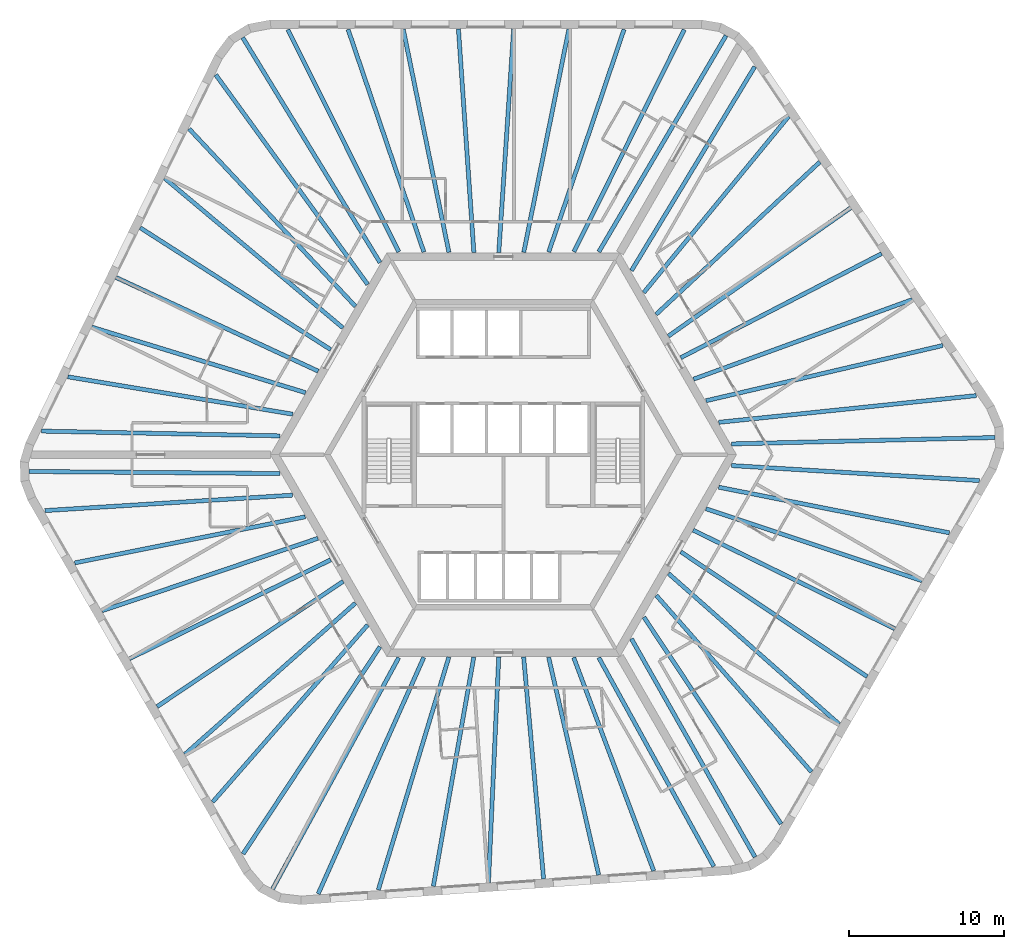
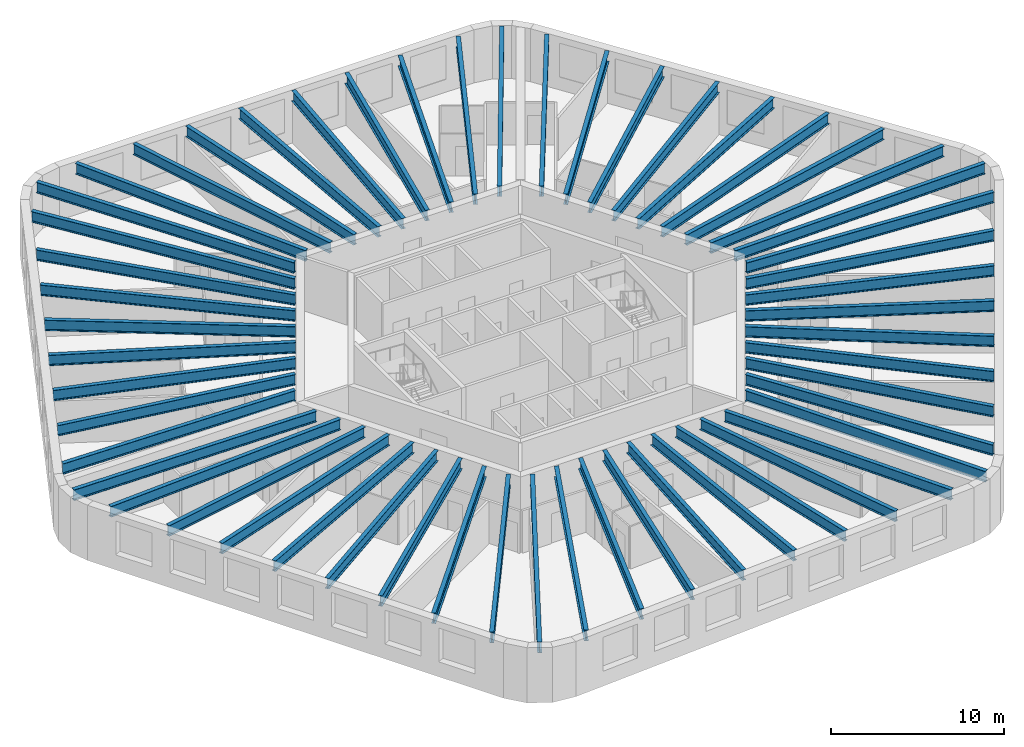
# One storey, part 1 of 10: 54 beams.
"""IFC4 building model written with IfcOpenShell, lengths in metres."""

import ifcopenshell
import ifcopenshell.guid

model = None  # the IFC model being written
_history = None  # IfcOwnerHistory: only IFC2X3 demands one
_inside = {}  # id of a spatial element -> (the spatial element, [elements in it])
_under = {}  # id of a project, library or spatial element -> (it, [spatial elements below it])
_declared = {}  # id of a project -> (the project, [libraries it declares])
_typed = {}  # id of a type object -> (the type object, [elements of that type])
_made_of = {}  # id of a material, layer set ... -> (it, [elements and type objects made of it])


def new_model(schema):
    """Start an empty IFC model of exactly this schema.

    Asked for "IFC4X3", IfcOpenShell would pick the latest addendum, in which some entities
    have other attributes; the version numbers below select the first issue.
    IFC2X3 requires an IfcOwnerHistory on every rooted entity: one is made here for all.
    """
    global model, _history
    if schema == "IFC4X3":
        model = ifcopenshell.file(schema_version=(4, 3, 0, 0))
    else:
        model = ifcopenshell.file(schema=schema)
    _inside.clear()
    _under.clear()
    _declared.clear()
    _typed.clear()
    _made_of.clear()
    _history = None
    if model.schema == "IFC2X3":
        org = make("IfcOrganization", Name="unknown")
        user = make(
            "IfcPersonAndOrganization",
            ThePerson=make("IfcPerson", FamilyName="unknown"),
            TheOrganization=org,
        )
        app = make(
            "IfcApplication",
            ApplicationDeveloper=org,
            Version="unknown",
            ApplicationFullName="unknown",
            ApplicationIdentifier="unknown",
        )
        _history = make(
            "IfcOwnerHistory",
            OwningUser=user,
            OwningApplication=app,
            ChangeAction="ADDED",
            CreationDate=0,
        )
    return model


def make(cls, **values):
    """One entity of the class cls with the attributes given. An attribute that is None is left unset."""
    return model.create_entity(
        cls, **{name: value for name, value in values.items() if value is not None}
    )


def rooted(cls, **values):
    """An entity with a GlobalId (a new one), such as an element, a storey or a relation."""
    return make(cls, GlobalId=ifcopenshell.guid.new(), OwnerHistory=_history, **values)


def si_unit(unit_type, name, prefix=None):
    """IfcSIUnit, for example si_unit("LENGTHUNIT", "METRE", prefix="MILLI")."""
    return make("IfcSIUnit", UnitType=unit_type, Prefix=prefix, Name=name)


def assignment(units):
    """IfcUnitAssignment: the units of a project."""
    return None if units is None else make("IfcUnitAssignment", Units=units)


def point(xyz):
    """IfcCartesianPoint."""
    return None if xyz is None else make("IfcCartesianPoint", Coordinates=xyz)


def direction(xyz):
    """IfcDirection."""
    return None if xyz is None else make("IfcDirection", DirectionRatios=xyz)


def frame(location, z_axis=None, x_axis=None):
    """IfcAxis2Placement3D, a coordinate frame: its origin and axes. An axis left out is left unset."""
    return make(
        "IfcAxis2Placement3D",
        Location=point(location),
        Axis=direction(z_axis),
        RefDirection=direction(x_axis),
    )


def frame_2d(location, x_axis=None):
    """IfcAxis2Placement2D, a coordinate frame in the plane: its origin and x axis."""
    return make(
        "IfcAxis2Placement2D", Location=point(location), RefDirection=direction(x_axis)
    )


def origin():
    """The frame at (0, 0, 0) with its axes left unset."""
    return frame((0.0, 0.0, 0.0))


def origin_2d():
    """The frame at (0, 0) in the plane with its x axis left unset."""
    return frame_2d((0.0, 0.0))


def place(relative_to, where):
    """IfcLocalPlacement: puts the frame where relative to a parent placement (None: the world)."""
    return make(
        "IfcLocalPlacement", PlacementRelTo=relative_to, RelativePlacement=where
    )


def context(
    kind, dimensions, precision=None, world=None, true_north=None, identifier=None
):
    """IfcGeometricRepresentationContext, for example the 3D "Model" context."""
    return make(
        "IfcGeometricRepresentationContext",
        ContextIdentifier=identifier,
        ContextType=kind,
        CoordinateSpaceDimension=dimensions,
        Precision=precision,
        WorldCoordinateSystem=world,
        TrueNorth=true_north,
    )


def subcontext(parent, identifier, kind, view, scale=None):
    """IfcGeometricRepresentationSubContext, for example "Body" below "Model"."""
    return make(
        "IfcGeometricRepresentationSubContext",
        ContextIdentifier=identifier,
        ContextType=kind,
        ParentContext=parent,
        TargetScale=scale,
        TargetView=view,
    )


def project(units=None, contexts=None):
    """IfcProject with its units and contexts."""
    return rooted(
        "IfcProject",
        Name="project",
        RepresentationContexts=contexts,
        UnitsInContext=assignment(units),
    )


def spatial(cls, under=None, at=None, **own):
    """A site, building, storey or space (cls), placed at a placement, below another one or the project."""
    s = rooted(cls, ObjectPlacement=at, **own)
    if under is not None:
        _under.setdefault(under.id(), (under, []))[1].append(s)
    return s


def profile(cls, at=None, kind="AREA", **sizes):
    """A parametric profile (cls). Its sizes go by their IFC names, for example OverallWidth=200.0."""
    return make(cls, ProfileType=kind, Position=at, **sizes)


def i_section(**sizes):
    """IfcIShapeProfileDef."""
    return profile("IfcIShapeProfileDef", **sizes)


def extrude(swept, where, along, depth):
    """IfcExtrudedAreaSolid: the profile swept, set in the frame where, extruded along a direction by depth."""
    return make(
        "IfcExtrudedAreaSolid",
        SweptArea=swept,
        Position=where,
        ExtrudedDirection=direction(along),
        Depth=depth,
    )


def shape(context_of_items, identifier, shape_type, items):
    """IfcShapeRepresentation: the items that make up one representation, for example the "Body"."""
    return make(
        "IfcShapeRepresentation",
        ContextOfItems=context_of_items,
        RepresentationIdentifier=identifier,
        RepresentationType=shape_type,
        Items=items,
    )


def material(Name=None, Category=None):
    """IfcMaterial."""
    return make("IfcMaterial", Name=Name, Category=Category)


def material_profile(
    of_material, cross_section, Name=None, Category=None, Priority=None
):
    """IfcMaterialProfile: a cross section and its material."""
    return make(
        "IfcMaterialProfile",
        Name=Name,
        Material=of_material,
        Profile=cross_section,
        Priority=Priority,
        Category=Category,
    )


def profile_set(profiles, Name=None, composite=None):
    """IfcMaterialProfileSet."""
    return make(
        "IfcMaterialProfileSet",
        Name=Name,
        MaterialProfiles=profiles,
        CompositeProfile=composite,
    )


def made_of(thing, what):
    """Note that an element or type object is made of a material, layer set ...; save() writes the relation."""
    if what is not None:
        _made_of.setdefault(what.id(), (what, []))[1].append(thing)
    return thing


def type_object(cls, material=None, **own):
    """A type object (cls), such as IfcWallType, which elements share."""
    return made_of(rooted(cls, **own), material)


def element(
    cls,
    number,
    at=None,
    inside=None,
    cuts=None,
    type_object=None,
    material=None,
    context=None,
    identifier="Body",
    shape_type=None,
    held_by="IfcProductDefinitionShape",
    body=None,
    shapes=None,
    **own,
):
    """One element of the class cls, such as IfcWall. Its Tag is "e" and its number.

    at: its placement. inside: the storey or other place that contains it. cuts: it is an
    opening in that element (IfcRelVoidsElement). A single representation is given by context,
    identifier, shape_type and body (its items); several are given by shapes. held_by: the class
    of the entity that holds the representations. save() writes the other relations.
    """
    e = rooted(cls, Tag="e%d" % number, ObjectPlacement=at, **own)
    if body is not None:
        shapes = [shape(context, identifier, shape_type, body)]
    if shapes is not None:
        e.Representation = make(held_by, Representations=shapes)
    if inside is not None:
        _inside.setdefault(inside.id(), (inside, []))[1].append(e)
    if cuts is not None:
        rooted(
            "IfcRelVoidsElement", RelatingBuildingElement=cuts, RelatedOpeningElement=e
        )
    if type_object is not None:
        _typed.setdefault(type_object.id(), (type_object, []))[1].append(e)
    return made_of(e, material)


def aggregate(whole, parts):
    """IfcRelAggregates: a whole, such as a stair, and the parts it consists of."""
    return rooted("IfcRelAggregates", RelatingObject=whole, RelatedObjects=parts)


def save(model, path):
    """Write the relations noted so far, then the file.

    IfcRelAggregates (storeys below a building ...), IfcRelContainedInSpatialStructure (elements
    in a storey), IfcRelDefinesByType, IfcRelAssociatesMaterial and IfcRelDeclares: one each for
    every whole, place, type object, material and project.
    """
    for whole, parts in _under.values():
        aggregate(whole, parts)
    for where, things in _inside.values():
        rooted(
            "IfcRelContainedInSpatialStructure",
            RelatedElements=things,
            RelatingStructure=where,
        )
    for kind, things in _typed.values():
        rooted("IfcRelDefinesByType", RelatedObjects=things, RelatingType=kind)
    for what, things in _made_of.values():
        rooted("IfcRelAssociatesMaterial", RelatedObjects=things, RelatingMaterial=what)
    for by, libraries in _declared.values():
        rooted("IfcRelDeclares", RelatingContext=by, RelatedDefinitions=libraries)
    model.write(path)


model = new_model("IFC4")

# Units and contexts
model_context = context("Model", 3, precision=1e-05, world=origin(), true_north=direction((0.0, 1.0)))
body_context = subcontext(model_context, "Body", "Model", "MODEL_VIEW")
ifc_project = project(units=[si_unit("LENGTHUNIT", "METRE"), si_unit("AREAUNIT", "SQUARE_METRE"), si_unit("VOLUMEUNIT", "CUBIC_METRE"), si_unit("PLANEANGLEUNIT", "RADIAN"), si_unit("MASSUNIT", "GRAM", prefix="KILO")], contexts=[model_context])

# Site, building, storey
site_placement = place(None, origin())
site = spatial("IfcSite", under=ifc_project, at=site_placement, CompositionType="ELEMENT")
building_placement = place(site_placement, origin())
building = spatial("IfcBuilding", under=site, at=building_placement, Name="Tarnside Tower", CompositionType="ELEMENT")
storey_placement = place(building_placement, frame((0.0, 0.0, 211.199951171875)))
storey = spatial("IfcBuildingStorey", under=building, at=storey_placement, Name="L50", CompositionType="ELEMENT", Elevation=211.199951171875)

# Beams
ifc_material = material(Name="Steel S355", Category="steel")
ifc_material_profile_1 = material_profile(ifc_material, i_section(OverallWidth=0.26513671875, OverallDepth=0.75390625, WebThickness=0.0126953125, FlangeThickness=0.017578125, FilletRadius=0.0166015625, at=origin_2d()), Name="UB 762x267x147")
ifc_profile_set_1 = profile_set([ifc_material_profile_1], Name="Steel S355")
beam_type_1 = type_object("IfcBeamType", Name="Floor beam UB 762x267x147", PredefinedType="BEAM", material=ifc_profile_set_1)
beam_1_placement = place(storey_placement, frame((7.77001953125, 27.393310546875, 3.373046875), z_axis=(-0.320362579778, -0.947295000239, 0.0), x_axis=(0.947295000239, -0.320362579778, 0.0)))
element("IfcBeam", 1, at=beam_1_placement, inside=storey, type_object=beam_type_1, Name="Floor beam F1.02", PredefinedType="BEAM", context=body_context, shape_type="SweptSolid", body=[
    extrude(i_section(OverallWidth=0.26513671875, OverallDepth=0.75390625, WebThickness=0.0126953125, FlangeThickness=0.017578125, FilletRadius=0.0166015625, at=origin_2d()), origin(), (0.0, 0.0, 1.0), 15.134033203125),
])
beam_2_placement = place(storey_placement, frame((4.218505859375, 27.410888671875, 3.373046875), z_axis=(-0.19841777413, -0.980117537293, 0.0), x_axis=(0.980117537293, -0.19841777413, 0.0)))
element("IfcBeam", 2, at=beam_2_placement, inside=storey, type_object=beam_type_1, Name="Floor beam F1.03", PredefinedType="BEAM", context=body_context, shape_type="SweptSolid", body=[
    extrude(i_section(OverallWidth=0.26513671875, OverallDepth=0.75390625, WebThickness=0.0126953125, FlangeThickness=0.017578125, FilletRadius=0.0166015625, at=origin_2d()), origin(), (0.0, 0.0, 1.0), 14.6630859375),
])
beam_3_placement = place(storey_placement, frame((0.66259765625, 27.429931640625, 3.373046875), z_axis=(-0.066554914868, -0.997782763585, 0.0), x_axis=(0.997782763585, -0.066554914868, 0.0)))
element("IfcBeam", 3, at=beam_3_placement, inside=storey, type_object=beam_type_1, Name="Floor beam F1.04", PredefinedType="BEAM", context=body_context, shape_type="SweptSolid", body=[
    extrude(i_section(OverallWidth=0.26513671875, OverallDepth=0.75390625, WebThickness=0.0126953125, FlangeThickness=0.017578125, FilletRadius=0.0166015625, at=origin_2d()), origin(), (0.0, 0.0, 1.0), 14.44189453125),
])
beam_4_placement = place(storey_placement, frame((-2.8974609375, 27.429931640625, 3.373046875), z_axis=(0.068876921658, -0.997625164911, 0.0), x_axis=(0.997625164911, 0.068876921658, 0.0)))
element("IfcBeam", 4, at=beam_4_placement, inside=storey, type_object=beam_type_1, Name="Floor beam F1.05", PredefinedType="BEAM", context=body_context, shape_type="SweptSolid", body=[
    extrude(i_section(OverallWidth=0.26513671875, OverallDepth=0.75390625, WebThickness=0.0126953125, FlangeThickness=0.017578125, FilletRadius=0.0166015625, at=origin_2d()), origin(), (0.0, 0.0, 1.0), 14.4443359375),
])
beam_5_placement = place(storey_placement, frame((-6.45361328125, 27.410888671875, 3.373046875), z_axis=(0.200623497398, -0.979668419564, 0.0), x_axis=(0.979668419564, 0.200623497398, 0.0)))
element("IfcBeam", 5, at=beam_5_placement, inside=storey, type_object=beam_type_1, Name="Floor beam F1.06", PredefinedType="BEAM", context=body_context, shape_type="SweptSolid", body=[
    extrude(i_section(OverallWidth=0.26513671875, OverallDepth=0.75390625, WebThickness=0.0126953125, FlangeThickness=0.017578125, FilletRadius=0.0166015625, at=origin_2d()), origin(), (0.0, 0.0, 1.0), 14.669921875),
])
beam_6_placement = place(storey_placement, frame((-10.0048828125, 27.393310546875, 3.373046875), z_axis=(0.322343712034, -0.946622697442, 0.0), x_axis=(0.946622697442, 0.322343712034, 0.0)))
element("IfcBeam", 6, at=beam_6_placement, inside=storey, type_object=beam_type_1, Name="Floor beam F1.07", PredefinedType="BEAM", context=body_context, shape_type="SweptSolid", body=[
    extrude(i_section(OverallWidth=0.26513671875, OverallDepth=0.75390625, WebThickness=0.0126953125, FlangeThickness=0.017578125, FilletRadius=0.0166015625, at=origin_2d()), origin(), (0.0, 0.0, 1.0), 15.144775390625),
])
beam_7_placement = place(storey_placement, frame((-20.241455078125, 20.9892578125, 3.373046875), z_axis=(0.683752330283, -0.729714156936, 0.0), x_axis=(0.729714156936, 0.683752330283, 0.0)))
element("IfcBeam", 7, at=beam_7_placement, inside=storey, type_object=beam_type_1, Name="Floor beam F2.02", PredefinedType="BEAM", context=body_context, shape_type="SweptSolid", body=[
    extrude(i_section(OverallWidth=0.26513671875, OverallDepth=0.75390625, WebThickness=0.0126953125, FlangeThickness=0.017578125, FilletRadius=0.0166015625, at=origin_2d()), origin(), (0.0, 0.0, 1.0), 15.6591796875),
])
beam_8_placement = place(storey_placement, frame((-21.81396484375, 17.80419921875, 3.373046875), z_axis=(0.765948461073, -0.642901979294, 0.0), x_axis=(0.642901979294, 0.765948461073, 0.0)))
element("IfcBeam", 8, at=beam_8_placement, inside=storey, type_object=beam_type_1, Name="Floor beam F2.03", PredefinedType="BEAM", context=body_context, shape_type="SweptSolid", body=[
    extrude(i_section(OverallWidth=0.26513671875, OverallDepth=0.75390625, WebThickness=0.0126953125, FlangeThickness=0.017578125, FilletRadius=0.0166015625, at=origin_2d()), origin(), (0.0, 0.0, 1.0), 14.982177734375),
])
beam_9_placement = place(storey_placement, frame((-23.389892578125, 14.616455078125, 3.373046875), z_axis=(0.842378275633, -0.538886667808, 0.0), x_axis=(0.538886667808, 0.842378275633, 0.0)))
element("IfcBeam", 9, at=beam_9_placement, inside=storey, type_object=beam_type_1, Name="Floor beam F2.04", PredefinedType="BEAM", context=body_context, shape_type="SweptSolid", body=[
    extrude(i_section(OverallWidth=0.26513671875, OverallDepth=0.75390625, WebThickness=0.0126953125, FlangeThickness=0.017578125, FilletRadius=0.0166015625, at=origin_2d()), origin(), (0.0, 0.0, 1.0), 14.5595703125),
])
beam_10_placement = place(storey_placement, frame((-24.9501953125, 11.416748046875, 3.373046875), z_axis=(0.907310131748, -0.420462037321, 0.0), x_axis=(0.420462037321, 0.907310131748, 0.0)))
element("IfcBeam", 10, at=beam_10_placement, inside=storey, type_object=beam_type_1, Name="Floor beam F2.05", PredefinedType="BEAM", context=body_context, shape_type="SweptSolid", body=[
    extrude(i_section(OverallWidth=0.26513671875, OverallDepth=0.75390625, WebThickness=0.0126953125, FlangeThickness=0.017578125, FilletRadius=0.0166015625, at=origin_2d()), origin(), (0.0, 0.0, 1.0), 14.353515625),
])
beam_11_placement = place(storey_placement, frame((-26.510986328125, 8.2177734375, 3.373046875), z_axis=(0.956073348261, -0.293127536654, 0.0), x_axis=(0.293127536654, 0.956073348261, 0.0)))
element("IfcBeam", 11, at=beam_11_placement, inside=storey, type_object=beam_type_1, Name="Floor beam F2.06", PredefinedType="BEAM", context=body_context, shape_type="SweptSolid", body=[
    extrude(i_section(OverallWidth=0.26513671875, OverallDepth=0.75390625, WebThickness=0.0126953125, FlangeThickness=0.017578125, FilletRadius=0.0166015625, at=origin_2d()), origin(), (0.0, 0.0, 1.0), 14.3955078125),
])
beam_12_placement = place(storey_placement, frame((-28.0517578125, 5.015869140625, 3.373046875), z_axis=(0.986476498304, -0.163902770858, 0.0), x_axis=(0.163902770858, 0.986476498304, 0.0)))
element("IfcBeam", 12, at=beam_12_placement, inside=storey, type_object=beam_type_1, Name="Floor beam F2.07", PredefinedType="BEAM", context=body_context, shape_type="SweptSolid", body=[
    extrude(i_section(OverallWidth=0.26513671875, OverallDepth=0.75390625, WebThickness=0.0126953125, FlangeThickness=0.017578125, FilletRadius=0.0166015625, at=origin_2d()), origin(), (0.0, 0.0, 1.0), 14.680908203125),
])
beam_13_placement = place(storey_placement, frame((-29.73828125, 1.521484375, 3.373046875), z_axis=(0.999800142641, -0.019991867701, 0.0), x_axis=(0.019991867701, 0.999800142641, 0.0)))
element("IfcBeam", 13, at=beam_13_placement, inside=storey, type_object=beam_type_1, Name="Floor beam F2.08", PredefinedType="BEAM", context=body_context, shape_type="SweptSolid", body=[
    extrude(i_section(OverallWidth=0.26513671875, OverallDepth=0.75390625, WebThickness=0.0126953125, FlangeThickness=0.017578125, FilletRadius=0.0166015625, at=origin_2d()), origin(), (0.0, 0.0, 1.0), 15.3505859375),
])
beam_14_placement = place(storey_placement, frame((-27.608154296875, -6.967529296875, 3.373046875), z_axis=(0.980564540422, 0.196196794232, 0.0), x_axis=(-0.196196794232, 0.980564540422, 0.0)))
element("IfcBeam", 14, at=beam_14_placement, inside=storey, type_object=beam_type_1, Name="Floor beam F3.02", PredefinedType="BEAM", context=body_context, shape_type="SweptSolid", body=[
    extrude(i_section(OverallWidth=0.26513671875, OverallDepth=0.75390625, WebThickness=0.0126953125, FlangeThickness=0.017578125, FilletRadius=0.0166015625, at=origin_2d()), origin(), (0.0, 0.0, 1.0), 15.134033203125),
])
beam_15_placement = place(storey_placement, frame((-25.84765625, -10.052001953125, 3.373046875), z_axis=(0.948011835322, 0.31823507049, 0.0), x_axis=(-0.31823507049, 0.948011835322, 0.0)))
element("IfcBeam", 15, at=beam_15_placement, inside=storey, type_object=beam_type_1, Name="Floor beam F3.03", PredefinedType="BEAM", context=body_context, shape_type="SweptSolid", body=[
    extrude(i_section(OverallWidth=0.26513671875, OverallDepth=0.75390625, WebThickness=0.0126953125, FlangeThickness=0.017578125, FilletRadius=0.0166015625, at=origin_2d()), origin(), (0.0, 0.0, 1.0), 14.662841796875),
])
beam_16_placement = place(storey_placement, frame((-24.086181640625, -13.141357421875, 3.373046875), z_axis=(0.897375974806, 0.441266767206, 0.0), x_axis=(-0.441266767206, 0.897375974806, 0.0)))
element("IfcBeam", 16, at=beam_16_placement, inside=storey, type_object=beam_type_1, Name="Floor beam F3.04", PredefinedType="BEAM", context=body_context, shape_type="SweptSolid", body=[
    extrude(i_section(OverallWidth=0.26513671875, OverallDepth=0.75390625, WebThickness=0.0126953125, FlangeThickness=0.017578125, FilletRadius=0.0166015625, at=origin_2d()), origin(), (0.0, 0.0, 1.0), 14.442138671875),
])
beam_17_placement = place(storey_placement, frame((-22.306396484375, -16.224365234375, 3.373046875), z_axis=(0.829532486243, 0.558458462437, 0.0), x_axis=(-0.558458462437, 0.829532486243, 0.0)))
element("IfcBeam", 17, at=beam_17_placement, inside=storey, type_object=beam_type_1, Name="Floor beam F3.05", PredefinedType="BEAM", context=body_context, shape_type="SweptSolid", body=[
    extrude(i_section(OverallWidth=0.26513671875, OverallDepth=0.75390625, WebThickness=0.0126953125, FlangeThickness=0.017578125, FilletRadius=0.0166015625, at=origin_2d()), origin(), (0.0, 0.0, 1.0), 14.444580078125),
])
beam_18_placement = place(storey_placement, frame((-20.51171875, -19.294189453125, 3.373046875), z_axis=(0.74811408094, 0.663570133369, 0.0), x_axis=(-0.663570133369, 0.74811408094, 0.0)))
element("IfcBeam", 18, at=beam_18_placement, inside=storey, type_object=beam_type_1, Name="Floor beam F3.06", PredefinedType="BEAM", context=body_context, shape_type="SweptSolid", body=[
    extrude(i_section(OverallWidth=0.26513671875, OverallDepth=0.75390625, WebThickness=0.0126953125, FlangeThickness=0.017578125, FilletRadius=0.0166015625, at=origin_2d()), origin(), (0.0, 0.0, 1.0), 14.669677734375),
])
beam_19_placement = place(storey_placement, frame((-18.720703125, -22.361083984375, 3.373046875), z_axis=(0.658621010302, 0.752474826681, 0.0), x_axis=(-0.752474826681, 0.658621010302, 0.0)))
element("IfcBeam", 19, at=beam_19_placement, inside=storey, type_object=beam_type_1, Name="Floor beam F3.07", PredefinedType="BEAM", context=body_context, shape_type="SweptSolid", body=[
    extrude(i_section(OverallWidth=0.26513671875, OverallDepth=0.75390625, WebThickness=0.0126953125, FlangeThickness=0.017578125, FilletRadius=0.0166015625, at=origin_2d()), origin(), (0.0, 0.0, 1.0), 15.144775390625),
])
beam_20_placement = place(storey_placement, frame((-8.056396484375, -28.024169921875, 3.373046875), z_axis=(0.290070138838, 0.957005388989, 0.0), x_axis=(-0.957005388989, 0.290070138838, 0.0)))
element("IfcBeam", 20, at=beam_20_placement, inside=storey, type_object=beam_type_1, Name="Floor beam F4.02", PredefinedType="BEAM", context=body_context, shape_type="SweptSolid", body=[
    extrude(i_section(OverallWidth=0.26513671875, OverallDepth=0.75390625, WebThickness=0.0126953125, FlangeThickness=0.017578125, FilletRadius=0.0166015625, at=origin_2d()), origin(), (0.0, 0.0, 1.0), 15.6591796875),
])
beam_21_placement = place(storey_placement, frame((-4.511962890625, -27.793701171875, 3.373046875), z_axis=(0.173788122681, 0.984783066678, 0.0), x_axis=(-0.984783066678, 0.173788122681, 0.0)))
element("IfcBeam", 21, at=beam_21_placement, inside=storey, type_object=beam_type_1, Name="Floor beam F4.03", PredefinedType="BEAM", context=body_context, shape_type="SweptSolid", body=[
    extrude(i_section(OverallWidth=0.26513671875, OverallDepth=0.75390625, WebThickness=0.0126953125, FlangeThickness=0.017578125, FilletRadius=0.0166015625, at=origin_2d()), origin(), (0.0, 0.0, 1.0), 14.982421875),
])
beam_22_placement = place(storey_placement, frame((-0.96337890625, -27.564453125, 3.373046875), z_axis=(0.045509585226, 0.998963902077, 0.0), x_axis=(-0.998963902077, 0.045509585226, 0.0)))
element("IfcBeam", 22, at=beam_22_placement, inside=storey, type_object=beam_type_1, Name="Floor beam F4.04", PredefinedType="BEAM", context=body_context, shape_type="SweptSolid", body=[
    extrude(i_section(OverallWidth=0.26513671875, OverallDepth=0.75390625, WebThickness=0.0126953125, FlangeThickness=0.017578125, FilletRadius=0.0166015625, at=origin_2d()), origin(), (0.0, 0.0, 1.0), 14.5595703125),
])
beam_23_placement = place(storey_placement, frame((2.587890625, -27.31591796875, 3.373046875), z_axis=(-0.089518916897, 0.995985122137, 0.0), x_axis=(-0.995985122137, -0.089518916897, 0.0)))
element("IfcBeam", 23, at=beam_23_placement, inside=storey, type_object=beam_type_1, Name="Floor beam F4.05", PredefinedType="BEAM", context=body_context, shape_type="SweptSolid", body=[
    extrude(i_section(OverallWidth=0.26513671875, OverallDepth=0.75390625, WebThickness=0.0126953125, FlangeThickness=0.017578125, FilletRadius=0.0166015625, at=origin_2d()), origin(), (0.0, 0.0, 1.0), 14.353515625),
])
beam_24_placement = place(storey_placement, frame((6.138671875, -27.068115234375, 3.373046875), z_axis=(-0.224188122435, 0.974545886944, 0.0), x_axis=(-0.974545886944, -0.224188122435, 0.0)))
element("IfcBeam", 24, at=beam_24_placement, inside=storey, type_object=beam_type_1, Name="Floor beam F4.06", PredefinedType="BEAM", context=body_context, shape_type="SweptSolid", body=[
    extrude(i_section(OverallWidth=0.26513671875, OverallDepth=0.75390625, WebThickness=0.0126953125, FlangeThickness=0.017578125, FilletRadius=0.0166015625, at=origin_2d()), origin(), (0.0, 0.0, 1.0), 14.3955078125),
])
beam_25_placement = place(storey_placement, frame((9.681884765625, -26.801513671875, 3.373046875), z_axis=(-0.351271055087, 0.936273809234, 0.0), x_axis=(-0.936273809234, -0.351271055087, 0.0)))
element("IfcBeam", 25, at=beam_25_placement, inside=storey, type_object=beam_type_1, Name="Floor beam F4.07", PredefinedType="BEAM", context=body_context, shape_type="SweptSolid", body=[
    extrude(i_section(OverallWidth=0.26513671875, OverallDepth=0.75390625, WebThickness=0.0126953125, FlangeThickness=0.017578125, FilletRadius=0.0166015625, at=origin_2d()), origin(), (0.0, 0.0, 1.0), 14.680908203125),
])
beam_26_placement = place(storey_placement, frame((13.551513671875, -26.514892578125, 3.373046875), z_axis=(-0.482584088089, 0.875849643445, 0.0), x_axis=(-0.875849643445, -0.482584088089, 0.0)))
element("IfcBeam", 26, at=beam_26_placement, inside=storey, type_object=beam_type_1, Name="Floor beam F4.08", PredefinedType="BEAM", context=body_context, shape_type="SweptSolid", body=[
    extrude(i_section(OverallWidth=0.26513671875, OverallDepth=0.75390625, WebThickness=0.0126953125, FlangeThickness=0.017578125, FilletRadius=0.0166015625, at=origin_2d()), origin(), (0.0, 0.0, 1.0), 15.3505859375),
])
beam_27_placement = place(storey_placement, frame((19.838134765625, -20.425537109375, 3.373046875), z_axis=(-0.660201214512, 0.751088780609, 0.0), x_axis=(-0.751088780609, -0.660201214512, 0.0)))
element("IfcBeam", 27, at=beam_27_placement, inside=storey, type_object=beam_type_1, Name="Floor beam F5.02", PredefinedType="BEAM", context=body_context, shape_type="SweptSolid", body=[
    extrude(i_section(OverallWidth=0.26513671875, OverallDepth=0.75390625, WebThickness=0.0126953125, FlangeThickness=0.017578125, FilletRadius=0.0166015625, at=origin_2d()), origin(), (0.0, 0.0, 1.0), 15.134033203125),
])
beam_28_placement = place(storey_placement, frame((21.629150390625, -17.358642578125, 3.373046875), z_axis=(-0.749601662028, 0.661889226597, 0.0), x_axis=(-0.661889226597, -0.749601662028, 0.0)))
element("IfcBeam", 28, at=beam_28_placement, inside=storey, type_object=beam_type_1, Name="Floor beam F5.03", PredefinedType="BEAM", context=body_context, shape_type="SweptSolid", body=[
    extrude(i_section(OverallWidth=0.26513671875, OverallDepth=0.75390625, WebThickness=0.0126953125, FlangeThickness=0.017578125, FilletRadius=0.0166015625, at=origin_2d()), origin(), (0.0, 0.0, 1.0), 14.6630859375),
])
beam_29_placement = place(storey_placement, frame((23.423828125, -14.288818359375, 3.373046875), z_axis=(-0.830825943553, 0.556532345439, 0.0), x_axis=(-0.556532345439, -0.830825943553, 0.0)))
element("IfcBeam", 29, at=beam_29_placement, inside=storey, type_object=beam_type_1, Name="Floor beam F5.04", PredefinedType="BEAM", context=body_context, shape_type="SweptSolid", body=[
    extrude(i_section(OverallWidth=0.26513671875, OverallDepth=0.75390625, WebThickness=0.0126953125, FlangeThickness=0.017578125, FilletRadius=0.0166015625, at=origin_2d()), origin(), (0.0, 0.0, 1.0), 14.4423828125),
])
beam_30_placement = place(storey_placement, frame((25.203857421875, -11.205810546875, 3.373046875), z_axis=(-0.898407034897, 0.43916375038, 0.0), x_axis=(-0.43916375038, -0.898407034897, 0.0)))
element("IfcBeam", 30, at=beam_30_placement, inside=storey, type_object=beam_type_1, Name="Floor beam F5.05", PredefinedType="BEAM", context=body_context, shape_type="SweptSolid", body=[
    extrude(i_section(OverallWidth=0.26513671875, OverallDepth=0.75390625, WebThickness=0.0126953125, FlangeThickness=0.017578125, FilletRadius=0.0166015625, at=origin_2d()), origin(), (0.0, 0.0, 1.0), 14.444580078125),
])
beam_31_placement = place(storey_placement, frame((26.965087890625, -8.116455078125, 3.373046875), z_axis=(-0.948728223501, 0.31609295774, 0.0), x_axis=(-0.31609295774, -0.948728223501, 0.0)))
element("IfcBeam", 31, at=beam_31_placement, inside=storey, type_object=beam_type_1, Name="Floor beam F5.06", PredefinedType="BEAM", context=body_context, shape_type="SweptSolid", body=[
    extrude(i_section(OverallWidth=0.26513671875, OverallDepth=0.75390625, WebThickness=0.0126953125, FlangeThickness=0.017578125, FilletRadius=0.0166015625, at=origin_2d()), origin(), (0.0, 0.0, 1.0), 14.669677734375),
])
beam_32_placement = place(storey_placement, frame((28.7255859375, -5.031982421875, 3.373046875), z_axis=(-0.980974250646, 0.194137888034, 0.0), x_axis=(-0.194137888034, -0.980974250646, 0.0)))
element("IfcBeam", 32, at=beam_32_placement, inside=storey, type_object=beam_type_1, Name="Floor beam F5.07", PredefinedType="BEAM", context=body_context, shape_type="SweptSolid", body=[
    extrude(i_section(OverallWidth=0.26513671875, OverallDepth=0.75390625, WebThickness=0.0126953125, FlangeThickness=0.017578125, FilletRadius=0.0166015625, at=origin_2d()), origin(), (0.0, 0.0, 1.0), 15.144775390625),
])
beam_33_placement = place(storey_placement, frame((28.2978515625, 7.034912109375, 3.373046875), z_axis=(-0.973828212928, -0.227285309042, 0.0), x_axis=(0.227285309042, -0.973828212928, 0.0)))
element("IfcBeam", 33, at=beam_33_placement, inside=storey, type_object=beam_type_1, Name="Floor beam F6.02", PredefinedType="BEAM", context=body_context, shape_type="SweptSolid", body=[
    extrude(i_section(OverallWidth=0.26513671875, OverallDepth=0.75390625, WebThickness=0.0126953125, FlangeThickness=0.017578125, FilletRadius=0.0166015625, at=origin_2d()), origin(), (0.0, 0.0, 1.0), 15.6591796875),
])
beam_34_placement = place(storey_placement, frame((26.325927734375, 9.989501953125, 3.373046875), z_axis=(-0.939738697004, -0.341893523415, 0.0), x_axis=(0.341893523415, -0.939738697004, 0.0)))
element("IfcBeam", 34, at=beam_34_placement, inside=storey, type_object=beam_type_1, Name="Floor beam F6.03", PredefinedType="BEAM", context=body_context, shape_type="SweptSolid", body=[
    extrude(i_section(OverallWidth=0.26513671875, OverallDepth=0.75390625, WebThickness=0.0126953125, FlangeThickness=0.017578125, FilletRadius=0.0166015625, at=origin_2d()), origin(), (0.0, 0.0, 1.0), 14.982177734375),
])
beam_35_placement = place(storey_placement, frame((24.353271484375, 12.947998046875, 3.373046875), z_axis=(-0.887881646639, -0.460071930856, 0.0), x_axis=(0.460071930856, -0.887881646639, 0.0)))
element("IfcBeam", 35, at=beam_35_placement, inside=storey, type_object=beam_type_1, Name="Floor beam F6.04", PredefinedType="BEAM", context=body_context, shape_type="SweptSolid", body=[
    extrude(i_section(OverallWidth=0.26513671875, OverallDepth=0.75390625, WebThickness=0.0126953125, FlangeThickness=0.017578125, FilletRadius=0.0166015625, at=origin_2d()), origin(), (0.0, 0.0, 1.0), 14.5595703125),
])
beam_36_placement = place(storey_placement, frame((22.3623046875, 15.899169921875, 3.373046875), z_axis=(-0.817791001708, -0.575515314762, 0.0), x_axis=(0.575515314762, -0.817791001708, 0.0)))
element("IfcBeam", 36, at=beam_36_placement, inside=storey, type_object=beam_type_1, Name="Floor beam F6.05", PredefinedType="BEAM", context=body_context, shape_type="SweptSolid", body=[
    extrude(i_section(OverallWidth=0.26513671875, OverallDepth=0.75390625, WebThickness=0.0126953125, FlangeThickness=0.017578125, FilletRadius=0.0166015625, at=origin_2d()), origin(), (0.0, 0.0, 1.0), 14.353759765625),
])
beam_37_placement = place(storey_placement, frame((20.372314453125, 18.850341796875, 3.373046875), z_axis=(-0.731892224456, -0.681420407517, 0.0), x_axis=(0.681420407517, -0.731892224456, 0.0)))
element("IfcBeam", 37, at=beam_37_placement, inside=storey, type_object=beam_type_1, Name="Floor beam F6.06", PredefinedType="BEAM", context=body_context, shape_type="SweptSolid", body=[
    extrude(i_section(OverallWidth=0.26513671875, OverallDepth=0.75390625, WebThickness=0.0126953125, FlangeThickness=0.017578125, FilletRadius=0.0166015625, at=origin_2d()), origin(), (0.0, 0.0, 1.0), 14.3955078125),
])
beam_38_placement = place(storey_placement, frame((18.369873046875, 21.78564453125, 3.373046875), z_axis=(-0.635191827457, -0.772354414975, 0.0), x_axis=(0.772354414975, -0.635191827457, 0.0)))
element("IfcBeam", 38, at=beam_38_placement, inside=storey, type_object=beam_type_1, Name="Floor beam F6.07", PredefinedType="BEAM", context=body_context, shape_type="SweptSolid", body=[
    extrude(i_section(OverallWidth=0.26513671875, OverallDepth=0.75390625, WebThickness=0.0126953125, FlangeThickness=0.017578125, FilletRadius=0.0166015625, at=origin_2d()), origin(), (0.0, 0.0, 1.0), 14.680908203125),
])
beam_39_placement = place(storey_placement, frame((16.186767578125, 24.993408203125, 3.373046875), z_axis=(-0.517208605106, -0.855859368591, 0.0), x_axis=(0.855859368591, -0.517208605106, 0.0)))
element("IfcBeam", 39, at=beam_39_placement, inside=storey, type_object=beam_type_1, Name="Floor beam F6.08", PredefinedType="BEAM", context=body_context, shape_type="SweptSolid", body=[
    extrude(i_section(OverallWidth=0.26513671875, OverallDepth=0.75390625, WebThickness=0.0126953125, FlangeThickness=0.017578125, FilletRadius=0.0166015625, at=origin_2d()), origin(), (0.0, 0.0, 1.0), 15.3505859375),
])
ifc_material_profile_2 = material_profile(ifc_material, i_section(OverallWidth=0.2666015625, OverallDepth=0.76220703125, WebThickness=0.014404296875, FlangeThickness=0.021484375, FilletRadius=0.0166015625, at=origin_2d()), Name="UB 762x267x173")
ifc_profile_set_2 = profile_set([ifc_material_profile_2], Name="Steel S355")
beam_type_2 = type_object("IfcBeamType", Name="Floor beam UB 762x267x173", PredefinedType="BEAM", material=ifc_profile_set_2)
beam_40_placement = place(storey_placement, frame((11.6494140625, 27.37841796875, 3.368896484375), z_axis=(-0.445042310328, -0.895509543231, 0.0), x_axis=(0.895509543231, -0.445042310328, 0.0)))
element("IfcBeam", 40, at=beam_40_placement, inside=storey, type_object=beam_type_2, Name="Floor beam F1.01", PredefinedType="BEAM", context=body_context, shape_type="SweptSolid", body=[
    extrude(i_section(OverallWidth=0.2666015625, OverallDepth=0.76220703125, WebThickness=0.014404296875, FlangeThickness=0.021484375, FilletRadius=0.0166015625, at=origin_2d()), origin(), (0.0, 0.0, 1.0), 15.976318359375),
])
beam_41_placement = place(storey_placement, frame((-13.884521484375, 27.37841796875, 3.368896484375), z_axis=(0.44673108957, -0.894668281326, 0.0), x_axis=(0.894668281326, 0.44673108957, 0.0)))
element("IfcBeam", 41, at=beam_41_placement, inside=storey, type_object=beam_type_2, Name="Floor beam F1.08", PredefinedType="BEAM", context=body_context, shape_type="SweptSolid", body=[
    extrude(i_section(OverallWidth=0.2666015625, OverallDepth=0.76220703125, WebThickness=0.014404296875, FlangeThickness=0.021484375, FilletRadius=0.0166015625, at=origin_2d()), origin(), (0.0, 0.0, 1.0), 15.9912109375),
])
beam_42_placement = place(storey_placement, frame((-16.79345703125, 26.86962890625, 3.368896484375), z_axis=(0.520940467881, -0.853593011291, 0.0), x_axis=(0.853593011291, 0.520940467881, 0.0)))
element("IfcBeam", 42, at=beam_42_placement, inside=storey, type_object=beam_type_2, Name="Floor beam C1", PredefinedType="BEAM", context=body_context, shape_type="SweptSolid", body=[
    extrude(i_section(OverallWidth=0.2666015625, OverallDepth=0.76220703125, WebThickness=0.014404296875, FlangeThickness=0.021484375, FilletRadius=0.0166015625, at=origin_2d()), origin(), (0.0, 0.0, 1.0), 16.980712890625),
])
beam_43_placement = place(storey_placement, frame((-18.52685546875, 24.471435546875, 3.368896484375), z_axis=(0.586791943415, -0.80973774467, 0.0), x_axis=(0.80973774467, 0.586791943415, 0.0)))
element("IfcBeam", 43, at=beam_43_placement, inside=storey, type_object=beam_type_2, Name="Floor beam F2.01", PredefinedType="BEAM", context=body_context, shape_type="SweptSolid", body=[
    extrude(i_section(OverallWidth=0.2666015625, OverallDepth=0.76220703125, WebThickness=0.014404296875, FlangeThickness=0.021484375, FilletRadius=0.0166015625, at=origin_2d()), origin(), (0.0, 0.0, 1.0), 16.67578125),
])
beam_44_placement = place(storey_placement, frame((-30.543212890625, -1.079345703125, 3.368896484375), z_axis=(0.999966072652, -0.008237326324, 0.0), x_axis=(0.008237326324, 0.999966072652, 0.0)))
element("IfcBeam", 44, at=beam_44_placement, inside=storey, type_object=beam_type_2, Name="Floor beam C2", PredefinedType="BEAM", context=body_context, shape_type="SweptSolid", body=[
    extrude(i_section(OverallWidth=0.2666015625, OverallDepth=0.76220703125, WebThickness=0.014404296875, FlangeThickness=0.021484375, FilletRadius=0.0166015625, at=origin_2d()), origin(), (0.0, 0.0, 1.0), 16.15283203125),
])
beam_45_placement = place(storey_placement, frame((-29.534912109375, -3.6005859375, 3.368896484375), z_axis=(0.99805531279, 0.062334521832, 0.0), x_axis=(-0.062334521832, 0.99805531279, 0.0)))
element("IfcBeam", 45, at=beam_45_placement, inside=storey, type_object=beam_type_2, Name="Floor beam F3.01", PredefinedType="BEAM", context=body_context, shape_type="SweptSolid", body=[
    extrude(i_section(OverallWidth=0.2666015625, OverallDepth=0.76220703125, WebThickness=0.014404296875, FlangeThickness=0.021484375, FilletRadius=0.0166015625, at=origin_2d()), origin(), (0.0, 0.0, 1.0), 15.975830078125),
])
beam_46_placement = place(storey_placement, frame((-16.768310546875, -25.71337890625, 3.368896484375), z_axis=(0.551447600123, 0.834209532623, 0.0), x_axis=(-0.834209532623, 0.551447600123, 0.0)))
element("IfcBeam", 46, at=beam_46_placement, inside=storey, type_object=beam_type_2, Name="Floor beam F3.08", PredefinedType="BEAM", context=body_context, shape_type="SweptSolid", body=[
    extrude(i_section(OverallWidth=0.2666015625, OverallDepth=0.76220703125, WebThickness=0.014404296875, FlangeThickness=0.021484375, FilletRadius=0.0166015625, at=origin_2d()), origin(), (0.0, 0.0, 1.0), 15.9912109375),
])
beam_47_placement = place(storey_placement, frame((-14.873046875, -27.978515625, 3.368896484375), z_axis=(0.478767512404, 0.877941723047, 0.0), x_axis=(-0.877941723047, 0.478767512404, 0.0)))
element("IfcBeam", 47, at=beam_47_placement, inside=storey, type_object=beam_type_2, Name="Floor beam C3", PredefinedType="BEAM", context=body_context, shape_type="SweptSolid", body=[
    extrude(i_section(OverallWidth=0.2666015625, OverallDepth=0.76220703125, WebThickness=0.014404296875, FlangeThickness=0.021484375, FilletRadius=0.0166015625, at=origin_2d()), origin(), (0.0, 0.0, 1.0), 16.98095703125),
])
beam_48_placement = place(storey_placement, frame((-11.929443359375, -28.280517578125, 3.368896484375), z_axis=(0.407852035629, 0.913048036542, 0.0), x_axis=(-0.913048036542, 0.407852035629, 0.0)))
element("IfcBeam", 48, at=beam_48_placement, inside=storey, type_object=beam_type_2, Name="Floor beam F4.01", PredefinedType="BEAM", context=body_context, shape_type="SweptSolid", body=[
    extrude(i_section(OverallWidth=0.2666015625, OverallDepth=0.76220703125, WebThickness=0.014404296875, FlangeThickness=0.021484375, FilletRadius=0.0166015625, at=origin_2d()), origin(), (0.0, 0.0, 1.0), 16.67578125),
])
beam_49_placement = place(storey_placement, frame((16.206298828125, -25.91162109375, 3.368896484375), z_axis=(-0.492847437034, 0.870115741616, 0.0), x_axis=(-0.870115741616, -0.492847437034, 0.0)))
element("IfcBeam", 49, at=beam_49_placement, inside=storey, type_object=beam_type_2, Name="Floor beam C4", PredefinedType="BEAM", context=body_context, shape_type="SweptSolid", body=[
    extrude(i_section(OverallWidth=0.2666015625, OverallDepth=0.76220703125, WebThickness=0.014404296875, FlangeThickness=0.021484375, FilletRadius=0.0166015625, at=origin_2d()), origin(), (0.0, 0.0, 1.0), 16.15283203125),
])
beam_50_placement = place(storey_placement, frame((17.8857421875, -23.77783203125, 3.368896484375), z_axis=(-0.553013371197, 0.833172377889, 0.0), x_axis=(-0.833172377889, -0.553013371197, 0.0)))
element("IfcBeam", 50, at=beam_50_placement, inside=storey, type_object=beam_type_2, Name="Floor beam F5.01", PredefinedType="BEAM", context=body_context, shape_type="SweptSolid", body=[
    extrude(i_section(OverallWidth=0.2666015625, OverallDepth=0.76220703125, WebThickness=0.014404296875, FlangeThickness=0.021484375, FilletRadius=0.0166015625, at=origin_2d()), origin(), (0.0, 0.0, 1.0), 15.97607421875),
])
beam_51_placement = place(storey_placement, frame((30.652587890625, -1.6650390625, 3.368896484375), z_axis=(-0.998170730858, 0.060458184371, 0.0), x_axis=(-0.060458184371, -0.998170730858, 0.0)))
element("IfcBeam", 51, at=beam_51_placement, inside=storey, type_object=beam_type_2, Name="Floor beam F5.08", PredefinedType="BEAM", context=body_context, shape_type="SweptSolid", body=[
    extrude(i_section(OverallWidth=0.2666015625, OverallDepth=0.76220703125, WebThickness=0.014404296875, FlangeThickness=0.021484375, FilletRadius=0.0166015625, at=origin_2d()), origin(), (0.0, 0.0, 1.0), 15.9912109375),
])
beam_52_placement = place(storey_placement, frame((31.66650390625, 1.108642578125, 3.368896484375), z_axis=(-0.999703706976, -0.024341287118, 0.0), x_axis=(0.024341287118, -0.999703706976, 0.0)))
element("IfcBeam", 52, at=beam_52_placement, inside=storey, type_object=beam_type_2, Name="Floor beam C5", PredefinedType="BEAM", context=body_context, shape_type="SweptSolid", body=[
    extrude(i_section(OverallWidth=0.2666015625, OverallDepth=0.76220703125, WebThickness=0.014404296875, FlangeThickness=0.021484375, FilletRadius=0.0166015625, at=origin_2d()), origin(), (0.0, 0.0, 1.0), 16.980712890625),
])
beam_53_placement = place(storey_placement, frame((30.456298828125, 3.80908203125, 3.368896484375), z_axis=(-0.994648352349, -0.103318222829, 0.0), x_axis=(0.103318222829, -0.994648352349, 0.0)))
element("IfcBeam", 53, at=beam_53_placement, inside=storey, type_object=beam_type_2, Name="Floor beam F6.01", PredefinedType="BEAM", context=body_context, shape_type="SweptSolid", body=[
    extrude(i_section(OverallWidth=0.2666015625, OverallDepth=0.76220703125, WebThickness=0.014404296875, FlangeThickness=0.021484375, FilletRadius=0.0166015625, at=origin_2d()), origin(), (0.0, 0.0, 1.0), 16.67578125),
])
beam_54_placement = place(storey_placement, frame((14.3369140625, 26.990966796875, 3.368896484375), z_axis=(-0.507115238706, -0.861878259775, 0.0), x_axis=(0.861878259775, -0.507115238706, 0.0)))
element("IfcBeam", 54, at=beam_54_placement, inside=storey, type_object=beam_type_2, Name="Floor beam C6", PredefinedType="BEAM", context=body_context, shape_type="SweptSolid", body=[
    extrude(i_section(OverallWidth=0.2666015625, OverallDepth=0.76220703125, WebThickness=0.014404296875, FlangeThickness=0.021484375, FilletRadius=0.0166015625, at=origin_2d()), origin(), (0.0, 0.0, 1.0), 16.15283203125),
])

save(model, "model.ifc")
